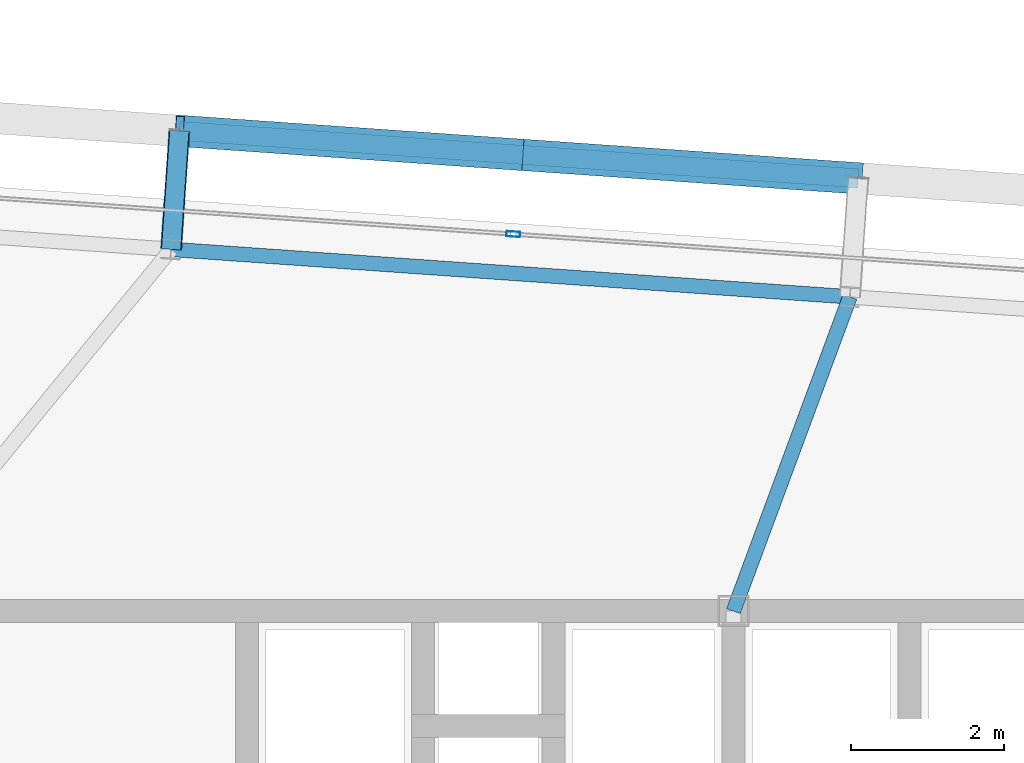
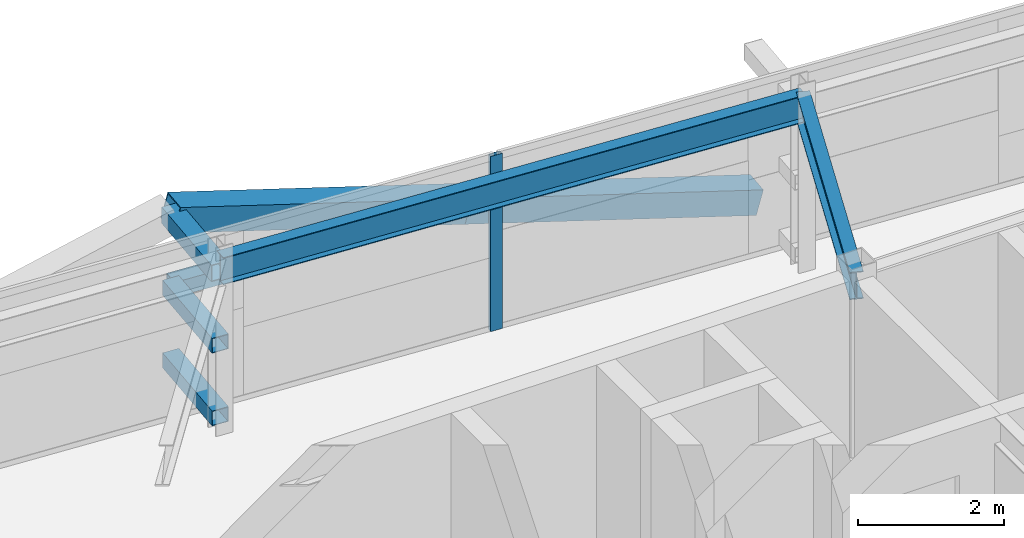
# One storey, part 22 of 39: 7 members, 2 beams, 1 element without a shape of its own.
"""IFC4 building model written with IfcOpenShell, lengths in metres."""

import ifcopenshell
import ifcopenshell.guid

model = None  # the IFC model being written
_history = None  # IfcOwnerHistory: only IFC2X3 demands one
_inside = {}  # id of a spatial element -> (the spatial element, [elements in it])
_under = {}  # id of a project, library or spatial element -> (it, [spatial elements below it])
_declared = {}  # id of a project -> (the project, [libraries it declares])
_typed = {}  # id of a type object -> (the type object, [elements of that type])
_made_of = {}  # id of a material, layer set ... -> (it, [elements and type objects made of it])


def new_model(schema):
    """Start an empty IFC model of exactly this schema.

    Asked for "IFC4X3", IfcOpenShell would pick the latest addendum, in which some entities
    have other attributes; the version numbers below select the first issue.
    IFC2X3 requires an IfcOwnerHistory on every rooted entity: one is made here for all.
    """
    global model, _history
    if schema == "IFC4X3":
        model = ifcopenshell.file(schema_version=(4, 3, 0, 0))
    else:
        model = ifcopenshell.file(schema=schema)
    _inside.clear()
    _under.clear()
    _declared.clear()
    _typed.clear()
    _made_of.clear()
    _history = None
    if model.schema == "IFC2X3":
        org = make("IfcOrganization", Name="unknown")
        user = make(
            "IfcPersonAndOrganization",
            ThePerson=make("IfcPerson", FamilyName="unknown"),
            TheOrganization=org,
        )
        app = make(
            "IfcApplication",
            ApplicationDeveloper=org,
            Version="unknown",
            ApplicationFullName="unknown",
            ApplicationIdentifier="unknown",
        )
        _history = make(
            "IfcOwnerHistory",
            OwningUser=user,
            OwningApplication=app,
            ChangeAction="ADDED",
            CreationDate=0,
        )
    return model


def make(cls, **values):
    """One entity of the class cls with the attributes given. An attribute that is None is left unset."""
    return model.create_entity(
        cls, **{name: value for name, value in values.items() if value is not None}
    )


def rooted(cls, **values):
    """An entity with a GlobalId (a new one), such as an element, a storey or a relation."""
    return make(cls, GlobalId=ifcopenshell.guid.new(), OwnerHistory=_history, **values)


def si_unit(unit_type, name, prefix=None):
    """IfcSIUnit, for example si_unit("LENGTHUNIT", "METRE", prefix="MILLI")."""
    return make("IfcSIUnit", UnitType=unit_type, Prefix=prefix, Name=name)


def assignment(units):
    """IfcUnitAssignment: the units of a project."""
    return None if units is None else make("IfcUnitAssignment", Units=units)


def point(xyz):
    """IfcCartesianPoint."""
    return None if xyz is None else make("IfcCartesianPoint", Coordinates=xyz)


def direction(xyz):
    """IfcDirection."""
    return None if xyz is None else make("IfcDirection", DirectionRatios=xyz)


def frame(location, z_axis=None, x_axis=None):
    """IfcAxis2Placement3D, a coordinate frame: its origin and axes. An axis left out is left unset."""
    return make(
        "IfcAxis2Placement3D",
        Location=point(location),
        Axis=direction(z_axis),
        RefDirection=direction(x_axis),
    )


def frame_2d(location, x_axis=None):
    """IfcAxis2Placement2D, a coordinate frame in the plane: its origin and x axis."""
    return make(
        "IfcAxis2Placement2D", Location=point(location), RefDirection=direction(x_axis)
    )


def origin():
    """The frame at (0, 0, 0) with its axes left unset."""
    return frame((0.0, 0.0, 0.0))


def origin_2d():
    """The frame at (0, 0) in the plane with its x axis left unset."""
    return frame_2d((0.0, 0.0))


def place(relative_to, where):
    """IfcLocalPlacement: puts the frame where relative to a parent placement (None: the world)."""
    return make(
        "IfcLocalPlacement", PlacementRelTo=relative_to, RelativePlacement=where
    )


def context(
    kind, dimensions, precision=None, world=None, true_north=None, identifier=None
):
    """IfcGeometricRepresentationContext, for example the 3D "Model" context."""
    return make(
        "IfcGeometricRepresentationContext",
        ContextIdentifier=identifier,
        ContextType=kind,
        CoordinateSpaceDimension=dimensions,
        Precision=precision,
        WorldCoordinateSystem=world,
        TrueNorth=true_north,
    )


def subcontext(parent, identifier, kind, view, scale=None):
    """IfcGeometricRepresentationSubContext, for example "Body" below "Model"."""
    return make(
        "IfcGeometricRepresentationSubContext",
        ContextIdentifier=identifier,
        ContextType=kind,
        ParentContext=parent,
        TargetScale=scale,
        TargetView=view,
    )


def project(units=None, contexts=None):
    """IfcProject with its units and contexts."""
    return rooted(
        "IfcProject",
        Name="project",
        RepresentationContexts=contexts,
        UnitsInContext=assignment(units),
    )


def spatial(cls, under=None, at=None, **own):
    """A site, building, storey or space (cls), placed at a placement, below another one or the project."""
    s = rooted(cls, ObjectPlacement=at, **own)
    if under is not None:
        _under.setdefault(under.id(), (under, []))[1].append(s)
    return s


def profile(cls, at=None, kind="AREA", **sizes):
    """A parametric profile (cls). Its sizes go by their IFC names, for example OverallWidth=200.0."""
    return make(cls, ProfileType=kind, Position=at, **sizes)


def hollow_rectangle(**sizes):
    """IfcRectangleHollowProfileDef."""
    return profile("IfcRectangleHollowProfileDef", **sizes)


def i_section(**sizes):
    """IfcIShapeProfileDef."""
    return profile("IfcIShapeProfileDef", **sizes)


def extrude(swept, where, along, depth):
    """IfcExtrudedAreaSolid: the profile swept, set in the frame where, extruded along a direction by depth."""
    return make(
        "IfcExtrudedAreaSolid",
        SweptArea=swept,
        Position=where,
        ExtrudedDirection=direction(along),
        Depth=depth,
    )


def shape(context_of_items, identifier, shape_type, items):
    """IfcShapeRepresentation: the items that make up one representation, for example the "Body"."""
    return make(
        "IfcShapeRepresentation",
        ContextOfItems=context_of_items,
        RepresentationIdentifier=identifier,
        RepresentationType=shape_type,
        Items=items,
    )


def source(mapping_origin, context_of_items, identifier, shape_type, items):
    """IfcRepresentationMap: a shape defined once, which mapped items show again and again."""
    return make(
        "IfcRepresentationMap",
        MappingOrigin=mapping_origin,
        MappedRepresentation=shape(context_of_items, identifier, shape_type, items),
    )


def transform(
    local_origin,
    x_axis=None,
    y_axis=None,
    z_axis=None,
    scale=None,
    scale2=None,
    scale3=None,
    uniform=True,
):
    """IfcCartesianTransformationOperator3D, or its non-uniform kind. x_axis, y_axis, z_axis: its Axis1, 2, 3."""
    if uniform:
        return make(
            "IfcCartesianTransformationOperator3D",
            Axis1=direction(x_axis),
            Axis2=direction(y_axis),
            LocalOrigin=point(local_origin),
            Scale=scale,
            Axis3=direction(z_axis),
        )
    return make(
        "IfcCartesianTransformationOperator3DnonUniform",
        Axis1=direction(x_axis),
        Axis2=direction(y_axis),
        LocalOrigin=point(local_origin),
        Scale=scale,
        Axis3=direction(z_axis),
        Scale2=scale2,
        Scale3=scale3,
    )


def mapped(mapping_source, mapping_target):
    """IfcMappedItem: shows the shape of a source again, moved by a transform."""
    return make(
        "IfcMappedItem", MappingSource=mapping_source, MappingTarget=mapping_target
    )


def material(Name=None, Category=None):
    """IfcMaterial."""
    return make("IfcMaterial", Name=Name, Category=Category)


def layer(
    of_material, thickness, ventilated=None, Name=None, Category=None, Priority=None
):
    """IfcMaterialLayer: one layer of a wall or slab, of a material (None: an air gap)."""
    return make(
        "IfcMaterialLayer",
        Material=of_material,
        LayerThickness=thickness,
        IsVentilated=ventilated,
        Name=Name,
        Category=Category,
        Priority=Priority,
    )


def layer_set(layers, Name=None):
    """IfcMaterialLayerSet."""
    return make("IfcMaterialLayerSet", MaterialLayers=layers, LayerSetName=Name)


def material_profile(
    of_material, cross_section, Name=None, Category=None, Priority=None
):
    """IfcMaterialProfile: a cross section and its material."""
    return make(
        "IfcMaterialProfile",
        Name=Name,
        Material=of_material,
        Profile=cross_section,
        Priority=Priority,
        Category=Category,
    )


def profile_set(profiles, Name=None, composite=None):
    """IfcMaterialProfileSet."""
    return make(
        "IfcMaterialProfileSet",
        Name=Name,
        MaterialProfiles=profiles,
        CompositeProfile=composite,
    )


def made_of(thing, what):
    """Note that an element or type object is made of a material, layer set ...; save() writes the relation."""
    if what is not None:
        _made_of.setdefault(what.id(), (what, []))[1].append(thing)
    return thing


def type_object(cls, material=None, **own):
    """A type object (cls), such as IfcWallType, which elements share."""
    return made_of(rooted(cls, **own), material)


def element(
    cls,
    number,
    at=None,
    inside=None,
    cuts=None,
    type_object=None,
    material=None,
    context=None,
    identifier="Body",
    shape_type=None,
    held_by="IfcProductDefinitionShape",
    body=None,
    shapes=None,
    **own,
):
    """One element of the class cls, such as IfcWall. Its Tag is "e" and its number.

    at: its placement. inside: the storey or other place that contains it. cuts: it is an
    opening in that element (IfcRelVoidsElement). A single representation is given by context,
    identifier, shape_type and body (its items); several are given by shapes. held_by: the class
    of the entity that holds the representations. save() writes the other relations.
    """
    e = rooted(cls, Tag="e%d" % number, ObjectPlacement=at, **own)
    if body is not None:
        shapes = [shape(context, identifier, shape_type, body)]
    if shapes is not None:
        e.Representation = make(held_by, Representations=shapes)
    if inside is not None:
        _inside.setdefault(inside.id(), (inside, []))[1].append(e)
    if cuts is not None:
        rooted(
            "IfcRelVoidsElement", RelatingBuildingElement=cuts, RelatedOpeningElement=e
        )
    if type_object is not None:
        _typed.setdefault(type_object.id(), (type_object, []))[1].append(e)
    return made_of(e, material)


def aggregate(whole, parts):
    """IfcRelAggregates: a whole, such as a stair, and the parts it consists of."""
    return rooted("IfcRelAggregates", RelatingObject=whole, RelatedObjects=parts)


def save(model, path):
    """Write the relations noted so far, then the file.

    IfcRelAggregates (storeys below a building ...), IfcRelContainedInSpatialStructure (elements
    in a storey), IfcRelDefinesByType, IfcRelAssociatesMaterial and IfcRelDeclares: one each for
    every whole, place, type object, material and project.
    """
    for whole, parts in _under.values():
        aggregate(whole, parts)
    for where, things in _inside.values():
        rooted(
            "IfcRelContainedInSpatialStructure",
            RelatedElements=things,
            RelatingStructure=where,
        )
    for kind, things in _typed.values():
        rooted("IfcRelDefinesByType", RelatedObjects=things, RelatingType=kind)
    for what, things in _made_of.values():
        rooted("IfcRelAssociatesMaterial", RelatedObjects=things, RelatingMaterial=what)
    for by, libraries in _declared.values():
        rooted("IfcRelDeclares", RelatingContext=by, RelatedDefinitions=libraries)
    model.write(path)


model = new_model("IFC4")

# Units and contexts
model_context = context("Model", 3, precision=1e-05, world=origin(), true_north=direction((0.0, 1.0)))
body_context = subcontext(model_context, "Body", "Model", "MODEL_VIEW")
ifc_project = project(units=[si_unit("LENGTHUNIT", "METRE"), si_unit("AREAUNIT", "SQUARE_METRE"), si_unit("VOLUMEUNIT", "CUBIC_METRE"), si_unit("PLANEANGLEUNIT", "RADIAN"), si_unit("MASSUNIT", "GRAM", prefix="KILO")], contexts=[model_context])

# Site, building, storey
site_placement = place(None, origin())
site = spatial("IfcSite", under=ifc_project, at=site_placement, CompositionType="ELEMENT")
building_placement = place(site_placement, origin())
building = spatial("IfcBuilding", under=site, at=building_placement, Name="Taldren Reach Tower", CompositionType="ELEMENT")
storey_placement = place(building_placement, frame((0.0, 0.0, 148.75)))
storey = spatial("IfcBuildingStorey", under=building, at=storey_placement, Name="L45", CompositionType="ELEMENT", Elevation=148.75)

# Members
ifc_material_1 = material(Name="Steel Gr 450 (C450L0)", Category="steel")
ifc_material_profile_1 = material_profile(ifc_material_1, hollow_rectangle(XDim=0.27490234375, YDim=0.27490234375, WallThickness=0.00927734375, at=origin_2d()), Name="275x275x9.3SHS")
ifc_profile_set_1 = profile_set([ifc_material_profile_1], Name="Steel Gr 450 (C450L0)")
member_type_1 = type_object("IfcMemberType", Name="MB-TIE273", PredefinedType="STRUT", material=ifc_profile_set_1)
shared_shape_1 = source(origin(), body_context, "Body", "SweptSolid", [
    extrude(hollow_rectangle(XDim=0.27490234375, YDim=0.27490234375, WallThickness=0.00927734375, at=origin_2d()), origin(), (0.0, 0.0, 1.0), 1.5498046875),
])
member_1_placement = place(storey_placement, frame((31.861328125, 36.719970703125, 2.64990234375), z_axis=(0.069780535098, 0.997562367434, 0.0), x_axis=(-0.997562367434, 0.069780535098, 0.0)))
element("IfcMember", 1, at=member_1_placement, inside=storey, type_object=member_type_1, Name="Exoskeleton diaphragm tie strut B3-N3 L45", PredefinedType="STRUT", context=body_context, shape_type="MappedRepresentation", body=[
    mapped(shared_shape_1, transform((0.0, 0.0, 0.0), scale=1.0)),
])
ifc_material_2 = material(Name="Steel Gr 350 (C350L0)", Category="steel")
ifc_material_profile_2 = material_profile(ifc_material_2, hollow_rectangle(XDim=0.25, YDim=0.25, WallThickness=0.010009765625, at=origin_2d()), Name="250x250x10.0SHS")
ifc_profile_set_2 = profile_set([ifc_material_profile_2], Name="Steel Gr 350 (C350L0)")
member_type_2 = type_object("IfcMemberType", Name="MB-POST250", PredefinedType="POST", material=ifc_profile_set_2)
shared_shape_2 = source(origin(), body_context, "Body", "SweptSolid", [
    extrude(hollow_rectangle(XDim=0.25, YDim=0.25, WallThickness=0.010009765625, at=origin_2d()), origin(), (0.0, 0.0, 1.0), 1.5498046875),
])
for number, where, z_axis, x_axis, name in (
    (2, (31.861328125, 36.719970703125, 0.219970703125), (0.069780535098, 0.997562367434, 0.0), (-0.997562367434, 0.069780535098, 0.0), "Exoskeleton base diaphragm tie strut B3-N3 L45"),
    (3, (31.861328125, 36.719970703125, 1.43505859375), (0.069780535098, 0.997562367434, 0.0), (-0.997562367434, 0.069780535098, 0.0), "Exoskeleton mid-tier diaphragm tie B3-N3 L45"),
):
    element("IfcMember", number, at=place(storey_placement, frame(where, z_axis=z_axis, x_axis=x_axis)), inside=storey, type_object=member_type_2, Name=name, PredefinedType="POST", context=body_context, shape_type="MappedRepresentation", body=[
        mapped(shared_shape_2, transform((0.0, 0.0, 0.0), scale=1.0)),
    ])

# Beams
ifc_material_3 = material(Name="Steel Gr 350 (350PLUS)", Category="steel")
ifc_material_profile_3 = material_profile(ifc_material_3, i_section(OverallWidth=0.18994140625, OverallDepth=0.4541015625, WebThickness=0.008544921875, FlangeThickness=0.0126953125, at=origin_2d()), Name="460UB67.1")
ifc_profile_set_3 = profile_set([ifc_material_profile_3], Name="Steel Gr 350 (350PLUS)")
beam_type_1 = type_object("IfcBeamType", Name="SP-UB460B", PredefinedType="SPANDREL", material=ifc_profile_set_3)
shared_shape_3 = source(origin(), body_context, "Body", "SweptSolid", [
    extrude(i_section(OverallWidth=0.18994140625, OverallDepth=0.4541015625, WebThickness=0.008544921875, FlangeThickness=0.0126953125, at=origin_2d()), origin(), (0.0, 0.0, 1.0), 8.880126953125),
])
beam_1_placement = place(storey_placement, frame((40.7197265625, 36.100341796875, 2.702880859375), z_axis=(-0.997562566276, 0.06977769246, 0.0), x_axis=(-0.06977769246, -0.997562566276, 0.0)))
element("IfcBeam", 4, at=beam_1_placement, inside=storey, type_object=beam_type_1, Name="Perimeter spandrel B3 N4-N3 L45", PredefinedType="SPANDREL", context=body_context, shape_type="MappedRepresentation", body=[
    mapped(shared_shape_3, transform((0.0, 0.0, 0.0), scale=1.0)),
])
ifc_material_profile_4 = material_profile(ifc_material_3, i_section(OverallWidth=0.19091796875, OverallDepth=0.4599609375, WebThickness=0.010009765625, FlangeThickness=0.01611328125, at=origin_2d()), Name="460UB82.1")
ifc_profile_set_4 = profile_set([ifc_material_profile_4], Name="Steel Gr 350 (350PLUS)")
beam_type_2 = type_object("IfcBeamType", Name="BM-UB460A", PredefinedType="BEAM", material=ifc_profile_set_4)
shared_shape_4 = source(origin(), body_context, "Body", "SweptSolid", [
    extrude(i_section(OverallWidth=0.19091796875, OverallDepth=0.4599609375, WebThickness=0.010009765625, FlangeThickness=0.01611328125, at=origin_2d()), origin(), (0.0, 0.0, 1.0), 4.373046875),
])
beam_2_placement = place(storey_placement, frame((39.199951171875, 32.0, 2.699951171875), z_axis=(0.347541638975, 0.937664550454, 0.0), x_axis=(-0.937664550454, 0.347541638975, 0.0)))
element("IfcBeam", 5, at=beam_2_placement, inside=storey, type_object=beam_type_2, Name="Primary floor girder B3-N4 L45", PredefinedType="BEAM", context=body_context, shape_type="MappedRepresentation", body=[
    mapped(shared_shape_4, transform((0.0, 0.0, 0.0), scale=1.0)),
])

# Members
shared_shape_5 = source(origin(), body_context, "Body", "SweptSolid", [
    extrude(hollow_rectangle(XDim=0.25, YDim=0.25, WallThickness=0.010009765625, at=origin_2d()), origin(), (0.0, 0.0, 1.0), 8.880126953125),
])
member_2_placement = place(storey_placement, frame((31.969482421875, 38.26611328125, 1.43505859375), z_axis=(0.997564479639, -0.069750333063, 0.0), x_axis=(0.069750333063, 0.997564479639, 0.0)))
element("IfcMember", 6, at=member_2_placement, inside=storey, type_object=member_type_2, Name="Exoskeleton mid-height ring chord B3-N3 L45", PredefinedType="POST", context=body_context, shape_type="MappedRepresentation", body=[
    mapped(shared_shape_5, transform((0.0, 0.0, 0.0), scale=1.0)),
])
ifc_material_profile_5 = material_profile(ifc_material_1, hollow_rectangle(XDim=0.409912109375, YDim=0.409912109375, WallThickness=0.01611328125, at=origin_2d()), Name="410x410x16.0SHS")
ifc_profile_set_5 = profile_set([ifc_material_profile_5], Name="Steel Gr 450 (C450L0)")
member_type_3 = type_object("IfcMemberType", Name="MB-EXO406", PredefinedType="BRACE", material=ifc_profile_set_5)
shared_shape_6 = source(origin(), body_context, "Body", "SweptSolid", [
    extrude(hollow_rectangle(XDim=0.409912109375, YDim=0.409912109375, WallThickness=0.01611328125, at=origin_2d()), origin(), (0.0, 0.0, 1.0), 4.603271484375),
])
for number, where, z_axis, x_axis, name in (
    (7, (40.827880859375, 37.646728515625, 0.219970703125), (-0.962185784239, 0.067250114343, 0.263962002434), (-0.069722973508, -0.997566392259, 0.0), "Exoskeleton Diagrid Brace B3-N3 L45"),
    (8, (36.398681640625, 37.956298828125, 1.43505859375), (-0.962195820062, 0.067303852699, 0.263911718699), (-0.06977769246, -0.997562566276, 0.0), "Exoskeleton Diagrid Brace B3-N3 L45"),
):
    element("IfcMember", number, at=place(storey_placement, frame(where, z_axis=z_axis, x_axis=x_axis)), inside=storey, type_object=member_type_3, Name=name, PredefinedType="BRACE", context=body_context, shape_type="MappedRepresentation", body=[
        mapped(shared_shape_6, transform((0.0, 0.0, 0.0), scale=1.0)),
    ])

# Curtain wall, member
ifc_material_4 = material(Name="Aluminium and Low-E Glass Unitised System", Category="aluminium")
ifc_layer = layer(ifc_material_4, 0.159912109375)
ifc_layer_set = layer_set([ifc_layer], Name="Aluminium and Low-E Glass Unitised System")
curtain_wall_type = type_object("IfcCurtainWallType", Name="CW-SYS-4", PredefinedType="NOTDEFINED", material=ifc_layer_set)
curtain_wall_placement = place(storey_placement, origin())
curtain_wall = element("IfcCurtainWall", 9, at=curtain_wall_placement, inside=storey, type_object=curtain_wall_type, Name="Unitised curtain wall CW-L45-N", PredefinedType="NOTDEFINED")
ifc_material_5 = material(Name="Anodised Aluminium 6063-T6", Category="aluminium")
ifc_material_profile_6 = material_profile(ifc_material_5, hollow_rectangle(XDim=0.070068359375, YDim=0.179931640625, WallThickness=0.00390625, at=origin_2d()), Name="ALU-180x70x4RHS")
ifc_profile_set_6 = profile_set([ifc_material_profile_6], Name="Anodised Aluminium 6063-T6")
member_type_4 = type_object("IfcMemberType", Name="CW-MUL-180", PredefinedType="MULLION", material=ifc_profile_set_6)
shared_shape_7 = source(origin(), body_context, "Body", "SweptSolid", [
    extrude(hollow_rectangle(XDim=0.070068359375, YDim=0.179931640625, WallThickness=0.00390625, at=origin_2d()), origin(), (0.0, 0.0, 1.0), 2.929931640625),
])
member_3_placement = place(storey_placement, frame((36.326171875, 36.9189453125, 0.0), z_axis=(0.0, 0.0, 1.0), x_axis=(-0.06975651593, -0.99756404731, 0.0)))
member_3 = element("IfcMember", 10, at=member_3_placement, type_object=member_type_4, Name="CW-4 mullion 3", PredefinedType="MULLION", context=body_context, shape_type="MappedRepresentation", body=[
    mapped(shared_shape_7, transform((0.0, 0.0, 0.0), scale=1.0)),
])
aggregate(curtain_wall, [member_3])

save(model, "model.ifc")
